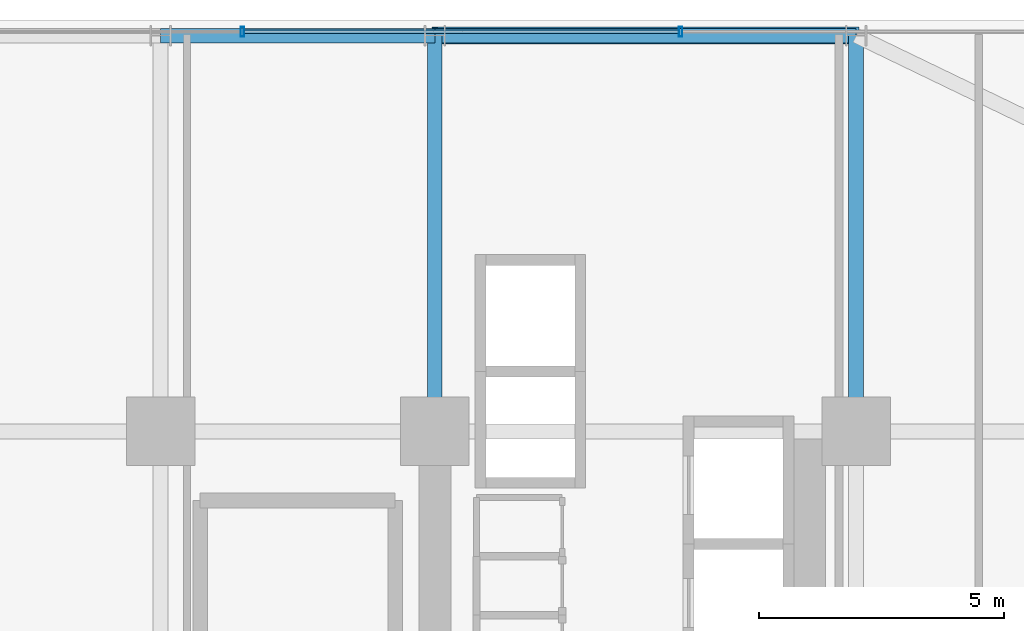
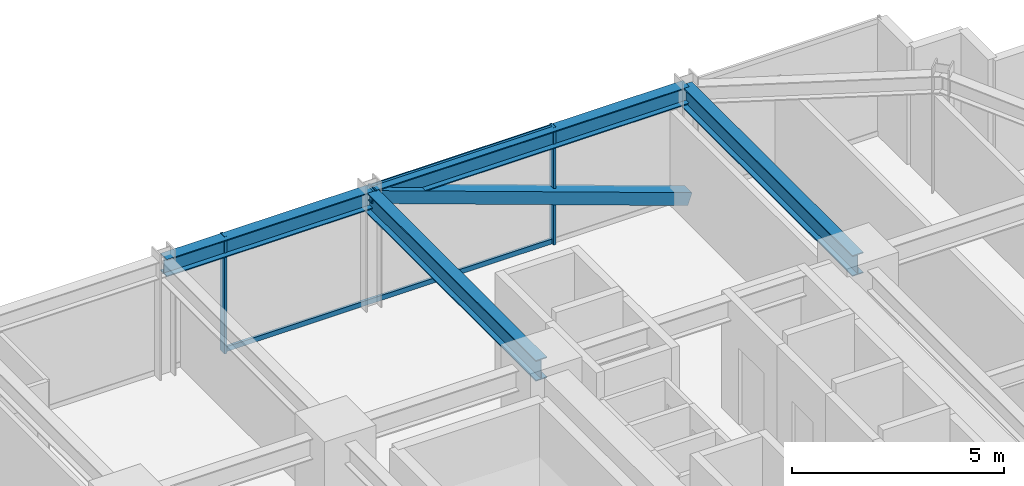
# One storey, part 28 of 37: 5 members, 4 beams, 1 element without a shape of its own.
"""IFC4 building model written with IfcOpenShell, lengths in metres."""

from ifc_helpers import new_model, si_unit, direction, frame, origin, origin_2d, place, context, subcontext, project, spatial, hollow_rectangle, i_section, extrude, source, transform, mapped, material, material_profile, profile_set, type_object, element, aggregate, save


model = new_model("IFC4")

# Units and contexts
model_context = context("Model", 3, precision=1e-05, world=origin(), true_north=direction((0.0, 1.0)))
body_context = subcontext(model_context, "Body", "Model", "MODEL_VIEW")
ifc_project = project(units=[si_unit("LENGTHUNIT", "METRE"), si_unit("AREAUNIT", "SQUARE_METRE"), si_unit("VOLUMEUNIT", "CUBIC_METRE"), si_unit("PLANEANGLEUNIT", "RADIAN"), si_unit("MASSUNIT", "GRAM", prefix="KILO")], contexts=[model_context])

# Site, building, storey
site_placement = place(None, origin())
site = spatial("IfcSite", under=ifc_project, at=site_placement, CompositionType="ELEMENT")
building_placement = place(site_placement, origin())
building = spatial("IfcBuilding", under=site, at=building_placement, Name="Nahalor Promenade Grand Hotel", CompositionType="ELEMENT")
storey_placement = place(building_placement, frame((0.0, 0.0, 65.25)))
storey = spatial("IfcBuildingStorey", under=building, at=storey_placement, Name="L15", CompositionType="ELEMENT", Elevation=65.25)

# Beams
ifc_material_1 = material(Name="Steel S355JR", Category="steel")
ifc_material_profile_1 = material_profile(ifc_material_1, i_section(OverallWidth=0.3, OverallDepth=0.5, WebThickness=0.0145, FlangeThickness=0.028, at=origin_2d()), Name="HEB 500")
ifc_profile_set_1 = profile_set([ifc_material_profile_1], Name="Steel S355JR")
beam_type_1 = type_object("IfcBeamType", Name="Beam-Spandrel-HEB500", PredefinedType="SPANDREL", material=ifc_profile_set_1)
shared_shape_1 = source(origin(), body_context, "Body", "SweptSolid", [
    extrude(i_section(OverallWidth=0.3, OverallDepth=0.5, WebThickness=0.0145, FlangeThickness=0.028, at=origin_2d()), origin(), (0.0, 0.0, 1.0), 8.60009765625),
])
beam_1_placement = place(storey_placement, frame((8.39990234375, 25.080078125, 3.1201171875), z_axis=(1.0, 0.0, 0.0), x_axis=(0.0, 1.0, 0.0)))
element("IfcBeam", 1, at=beam_1_placement, inside=storey, type_object=beam_type_1, Name="BM-L15-SP-N-4", PredefinedType="SPANDREL", context=body_context, shape_type="MappedRepresentation", body=[
    mapped(shared_shape_1, transform((0.0, 0.0, 0.0), scale=1.0)),
])
shared_shape_2 = source(origin(), body_context, "Body", "SweptSolid", [
    extrude(i_section(OverallWidth=0.3, OverallDepth=0.5, WebThickness=0.0145, FlangeThickness=0.028, at=origin_2d()), origin(), (0.0, 0.0, 1.0), 5.599853515625),
])
beam_2_placement = place(storey_placement, frame((2.800048828125, 25.080078125, 3.1201171875), z_axis=(1.0, 0.0, 0.0), x_axis=(0.0, 1.0, 0.0)))
element("IfcBeam", 2, at=beam_2_placement, inside=storey, type_object=beam_type_1, Name="BM-L15-SP-N-3", PredefinedType="SPANDREL", context=body_context, shape_type="MappedRepresentation", body=[
    mapped(shared_shape_2, transform((0.0, 0.0, 0.0), scale=1.0)),
])
ifc_material_profile_2 = material_profile(ifc_material_1, i_section(OverallWidth=0.3, OverallDepth=0.6, WebThickness=0.0155, FlangeThickness=0.03, at=origin_2d()), Name="HEB 600")
ifc_profile_set_2 = profile_set([ifc_material_profile_2], Name="Steel S355JR")
beam_type_2 = type_object("IfcBeamType", Name="Beam-Girder-HEB600", PredefinedType="BEAM", material=ifc_profile_set_2)
shared_shape_3 = source(origin(), body_context, "Body", "SweptSolid", [
    extrude(i_section(OverallWidth=0.3, OverallDepth=0.6, WebThickness=0.0155, FlangeThickness=0.03, at=origin_2d()), origin(), (0.0, 0.0, 1.0), 8.080078125),
])
for number, where, z_axis, x_axis, name in (
    (3, (8.39990234375, 17.0, 3.070068359375), (0.0, 1.0, 0.0), (-1.0, 0.0, 0.0), "BM-L15-GY-4-4"),
    (4, (17.0, 17.0, 3.070068359375), (0.0, 1.0, 0.0), (-1.0, 0.0, 0.0), "BM-L15-GY-5-4"),
):
    element("IfcBeam", number, at=place(storey_placement, frame(where, z_axis=z_axis, x_axis=x_axis)), inside=storey, type_object=beam_type_2, Name=name, PredefinedType="BEAM", context=body_context, shape_type="MappedRepresentation", body=[
        mapped(shared_shape_3, transform((0.0, 0.0, 0.0), scale=1.0)),
    ])

# Member
ifc_material_profile_3 = material_profile(ifc_material_1, hollow_rectangle(XDim=0.35, YDim=0.35, WallThickness=0.02, at=origin_2d()), Name="SHS 350x350x20")
ifc_profile_set_3 = profile_set([ifc_material_profile_3], Name="Steel S355JR")
member_type_1 = type_object("IfcMemberType", Name="Mem-VoidBrace-SHS350", PredefinedType="BRACE", material=ifc_profile_set_3)
shared_shape_4 = source(origin(), body_context, "Body", "SweptSolid", [
    extrude(hollow_rectangle(XDim=0.35, YDim=0.35, WallThickness=0.02, at=origin_2d()), origin(), (0.0, 0.0, 1.0), 9.131591796875),
])
member_1_placement = place(storey_placement, frame((17.0, 25.080078125, 0.14990234375), z_axis=(-0.941790292179, 0.0, 0.336200900589), x_axis=(0.0, -1.0, 0.0)))
element("IfcMember", 5, at=member_1_placement, inside=storey, type_object=member_type_1, Name="EXO-L15-N-1", PredefinedType="BRACE", context=body_context, shape_type="MappedRepresentation", body=[
    mapped(shared_shape_4, transform((0.0, 0.0, 0.0), scale=1.0)),
])

# Curtain wall, members
ifc_material_2 = material(Name="Anodised Bronze Aluminium EN AW-6063 T6", Category="aluminium")
curtain_wall_type = type_object("IfcCurtainWallType", Name="CW3 Elliptical-Void Collar Unitised Curtain Wall", PredefinedType="USERDEFINED", material=ifc_material_2)
curtain_wall_placement = place(storey_placement, origin())
curtain_wall = element("IfcCurtainWall", 6, at=curtain_wall_placement, inside=storey, type_object=curtain_wall_type, Name="L15 Curtain Wall CW-L15-N-1", ObjectType="UNITISED_CURTAIN_WALL", PredefinedType="USERDEFINED")
ifc_material_profile_4 = material_profile(ifc_material_2, hollow_rectangle(XDim=0.07, YDim=0.14, WallThickness=0.004, at=origin_2d()), Name="CWT 70x140x4")
ifc_profile_set_4 = profile_set([ifc_material_profile_4], Name="Anodised Bronze Aluminium EN AW-6063 T6")
member_type_2 = type_object("IfcMemberType", Name="CWT3 Void Collar Transom 70x140", PredefinedType="USERDEFINED", material=ifc_profile_set_4)
shared_shape_5 = source(origin(), body_context, "Body", "SweptSolid", [
    extrude(hollow_rectangle(XDim=0.07, YDim=0.14, WallThickness=0.004, at=origin_2d()), origin(), (0.0, 0.0, 1.0), 8.8740234375),
])
member_2_placement = place(storey_placement, frame((4.507080078125, 25.159912109375, 0.070068359375), z_axis=(1.0, 0.0, 0.0), x_axis=(0.0, 1.0, 0.0)))
member_2 = element("IfcMember", 7, at=member_2_placement, type_object=member_type_2, Name="CW-L15-N-1 Transom 3-0", ObjectType="TRANSOM", PredefinedType="USERDEFINED", context=body_context, shape_type="MappedRepresentation", body=[
    mapped(shared_shape_5, transform((0.0, 0.0, 0.0), scale=1.0)),
])
member_3_placement = place(storey_placement, frame((4.507080078125, 25.159912109375, 3.300048828125), z_axis=(1.0, 0.0, 0.0), x_axis=(0.0, 1.0, 0.0)))
member_3 = element("IfcMember", 8, at=member_3_placement, type_object=member_type_2, Name="CW-L15-N-1 Transom 3-1", ObjectType="TRANSOM", PredefinedType="USERDEFINED", context=body_context, shape_type="MappedRepresentation", body=[
    mapped(shared_shape_5, transform((0.0, 0.0, 0.0), scale=1.0)),
])
ifc_material_profile_5 = material_profile(ifc_material_2, hollow_rectangle(XDim=0.07, YDim=0.2, WallThickness=0.005, at=origin_2d()), Name="CWM 70x200x5")
ifc_profile_set_5 = profile_set([ifc_material_profile_5], Name="Anodised Bronze Aluminium EN AW-6063 T6")
member_type_3 = type_object("IfcMemberType", Name="CWM3 Void Collar Mullion 70x200", PredefinedType="MULLION", material=ifc_profile_set_5)
shared_shape_6 = source(origin(), body_context, "Body", "SweptSolid", [
    extrude(hollow_rectangle(XDim=0.07, YDim=0.2, WallThickness=0.005, at=origin_2d()), origin(), (0.0, 0.0, 1.0), 3.3701171875),
])
member_4_placement = place(storey_placement, frame((4.471923828125, 25.159912109375, 0.0), z_axis=(0.0, 0.0, 1.0), x_axis=(1.0, 0.0, 0.0)))
member_4 = element("IfcMember", 9, at=member_4_placement, type_object=member_type_3, Name="CW-L15-N-1 Mullion 3", PredefinedType="MULLION", context=body_context, shape_type="MappedRepresentation", body=[
    mapped(shared_shape_6, transform((0.0, 0.0, 0.0), scale=1.0)),
])
member_5_placement = place(storey_placement, frame((13.416015625, 25.159912109375, 0.0), z_axis=(0.0, 0.0, 1.0), x_axis=(1.0, 0.0, 0.0)))
member_5 = element("IfcMember", 10, at=member_5_placement, type_object=member_type_3, Name="CW-L15-N-1 Mullion 4", PredefinedType="MULLION", context=body_context, shape_type="MappedRepresentation", body=[
    mapped(shared_shape_6, transform((0.0, 0.0, 0.0), scale=1.0)),
])
aggregate(curtain_wall, [member_4, member_5, member_2, member_3])

save(model, "model.ifc")
